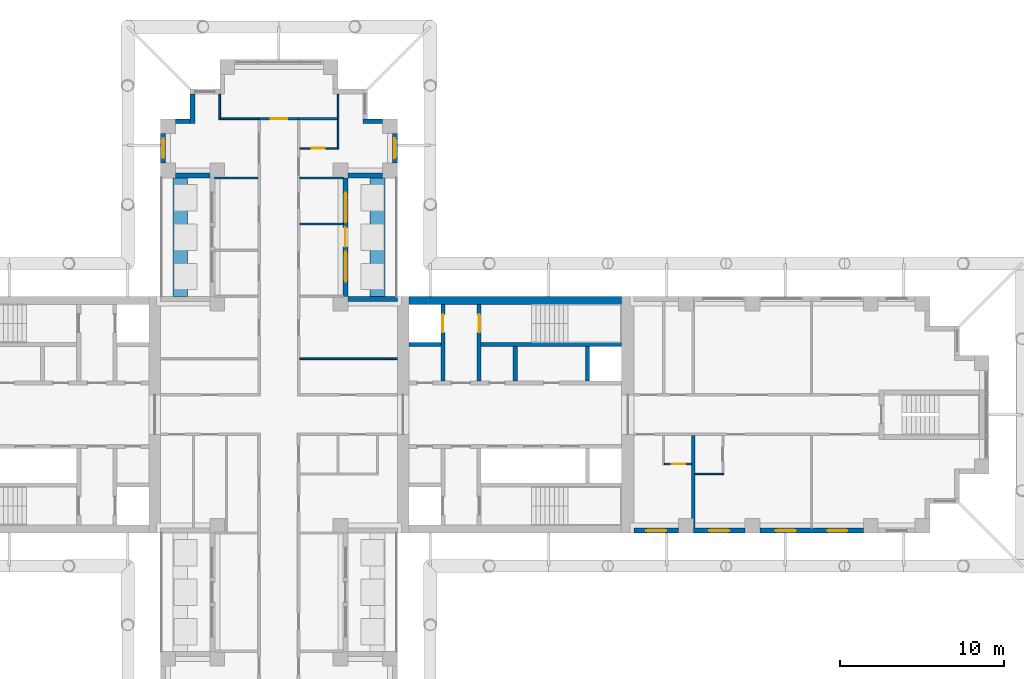
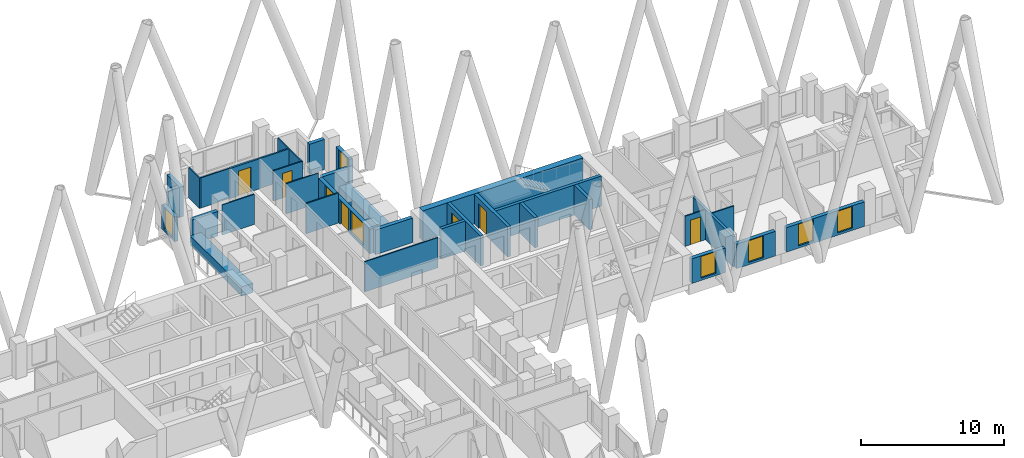
# One storey, part 9 of 14: 34 walls, 8 windows, 6 doors, 14 openings.
"""IFC4 building model written with IfcOpenShell, lengths in metres."""

from ifc_helpers import new_model, si_unit, direction, frame, frame_2d, origin, place, context, subcontext, project, spatial, rectangle, extrude, material, layer, layer_set, type_object, element, fill, save


model = new_model("IFC4")

# Units and contexts
model_context = context("Model", 3, precision=1e-05, world=origin(), true_north=direction((0.0, 1.0)))
body_context = subcontext(model_context, "Body", "Model", "MODEL_VIEW")
ifc_project = project(units=[si_unit("LENGTHUNIT", "METRE"), si_unit("AREAUNIT", "SQUARE_METRE"), si_unit("VOLUMEUNIT", "CUBIC_METRE"), si_unit("PLANEANGLEUNIT", "RADIAN"), si_unit("MASSUNIT", "GRAM", prefix="KILO")], contexts=[model_context])

# Site, building, storey
site_placement = place(None, origin())
site = spatial("IfcSite", under=ifc_project, at=site_placement, CompositionType="ELEMENT")
building_placement = place(site_placement, origin())
building = spatial("IfcBuilding", under=site, at=building_placement, Name="Fustian Cross Tower", CompositionType="ELEMENT")
storey_placement = place(building_placement, frame((0.0, 0.0, 102.89990234375)))
storey = spatial("IfcBuildingStorey", under=building, at=storey_placement, Name="L32", CompositionType="ELEMENT", Elevation=102.89990234375)

# Wall, opening, door
ifc_material_1 = material(Name="Plasterboard on steel stud", Category="steel")
ifc_layer_1 = layer(ifc_material_1, 0.14990234375)
ifc_layer_set_1 = layer_set([ifc_layer_1], Name="Plasterboard on steel stud")
wall_type_1 = type_object("IfcWallType", Name="COMPARTMENT WALL 150 EI 60", PredefinedType="PARTITIONING", material=ifc_layer_set_1)
wall_1_placement = place(storey_placement, frame((-1.199951171875, 18.0, 0.0), z_axis=(0.0, 0.0, 1.0), x_axis=(1.0, 0.0, 0.0)))
wall_1 = element("IfcWall", 1, at=wall_1_placement, inside=storey, type_object=wall_type_1, Name="Partition 42", PredefinedType="PARTITIONING", context=body_context, shape_type="SweptSolid", body=[
    extrude(rectangle(XDim=2.39990234375, YDim=0.14990234375, at=frame_2d((1.199951171875, 0.0))), origin(), (0.0, 0.0, 1.0), 2.5751953125),
])
opening_1_placement = place(wall_1_placement, frame((0.699951171875, 0.0, 0.0)))
opening_1 = element("IfcOpeningElement", 2, at=opening_1_placement, cuts=wall_1, Name="Opening D15020", PredefinedType="OPENING", context=body_context, shape_type="SweptSolid", body=[
    extrude(rectangle(XDim=1.0, YDim=2.10009765625, at=frame_2d((0.5, 1.050048828125))), frame((0.0, 0.0849609375, 0.0), z_axis=(0.0, -1.0, 0.0), x_axis=(1.0, 0.0, 0.0)), (0.0, 0.0, 1.0), 0.169921875),
])
ifc_material_2 = material(Name="Timber fire door set", Category="wood")
door_type_1 = type_object("IfcDoorType", Name="FIRE SWING DOOR 1000 FD30S", OperationType="SINGLE_SWING_LEFT", PredefinedType="DOOR", material=ifc_material_2)
door_1_placement = place(opening_1_placement, origin())
door_1 = element("IfcDoor", 3, at=door_1_placement, inside=storey, type_object=door_type_1, Name="Door D15020", OperationType="SINGLE_SWING_LEFT", OverallHeight=2.10009765625, OverallWidth=1.0, PredefinedType="DOOR", context=body_context, shape_type="SweptSolid", body=[
    extrude(rectangle(XDim=1.0, YDim=2.10009765625, at=frame_2d((0.5, 1.050048828125))), frame((0.0, 0.02490234375, 0.0), z_axis=(0.0, -1.0, 0.0), x_axis=(1.0, 0.0, 0.0)), (0.0, 0.0, 1.0), 0.050048828125),
])
fill(opening_1, door_1)

# Walls
ifc_material_3 = material(Name="Concrete C70/85", Category="concrete")
ifc_layer_2 = layer(ifc_material_3, 0.5)
ifc_layer_set_2 = layer_set([ifc_layer_2], Name="Concrete C70/85")
wall_type_2 = type_object("IfcWallType", Name="CORE FACADE WALL 500 C70/85", PredefinedType="SHEAR", material=ifc_layer_set_2)
wall_2_placement = place(storey_placement, frame((7.89990234375, 6.949951171875, 0.0), z_axis=(0.0, 0.0, 1.0), x_axis=(1.0, 0.0, 0.0)))
element("IfcWall", 4, at=wall_2_placement, inside=storey, type_object=wall_type_2, Name="Core facade wall", PredefinedType="SHEAR", context=body_context, shape_type="SweptSolid", body=[
    extrude(rectangle(XDim=12.9501953125, YDim=0.5, at=frame_2d((6.47509765625, 0.0))), origin(), (0.0, 0.0, 1.0), 2.5751953125),
])
ifc_material_4 = material(Name="Concrete C50/60", Category="concrete")
ifc_layer_3 = layer(ifc_material_4, 0.25)
ifc_layer_set_3 = layer_set([ifc_layer_3], Name="Concrete C50/60")
wall_type_3 = type_object("IfcWallType", Name="CORE SHAFT WALL 250 C50/60", PredefinedType="SHEAR", material=ifc_layer_set_3)
wall_3_placement = place(storey_placement, frame((7.89990234375, 4.27490234375, 0.0), z_axis=(0.0, 0.0, 1.0), x_axis=(1.0, 0.0, 0.0)))
element("IfcWall", 5, at=wall_3_placement, inside=storey, type_object=wall_type_3, Name="Core shaft wall", PredefinedType="SHEAR", context=body_context, shape_type="SweptSolid", body=[
    extrude(rectangle(XDim=1.9501953125, YDim=0.25, at=frame_2d((0.97509765625, 0.0))), origin(), (0.0, 0.0, 1.0), 2.5751953125),
])
wall_4_placement = place(storey_placement, frame((12.300048828125, 4.27490234375, 0.0), z_axis=(0.0, 0.0, 1.0), x_axis=(1.0, 0.0, 0.0)))
element("IfcWall", 6, at=wall_4_placement, inside=storey, type_object=wall_type_3, Name="Core shaft wall", PredefinedType="SHEAR", context=body_context, shape_type="SweptSolid", body=[
    extrude(rectangle(XDim=8.550048828125, YDim=0.25, at=frame_2d((4.27490234375, 0.0))), origin(), (0.0, 0.0, 1.0), 2.5751953125),
])

# Wall, opening, door
wall_5_placement = place(storey_placement, frame((9.97509765625, 2.050048828125, 0.0), z_axis=(0.0, 0.0, 1.0), x_axis=(0.0, 1.0, 0.0)))
wall_5 = element("IfcWall", 7, at=wall_5_placement, inside=storey, type_object=wall_type_3, Name="Core shaft wall", PredefinedType="SHEAR", context=body_context, shape_type="SweptSolid", body=[
    extrude(rectangle(XDim=4.64990234375, YDim=0.25, at=frame_2d((2.324951171875, 0.0))), origin(), (0.0, 0.0, 1.0), 2.5751953125),
])
opening_2_placement = place(wall_5_placement, frame((2.949951171875, 0.0, 0.0)))
opening_2 = element("IfcOpeningElement", 8, at=opening_2_placement, cuts=wall_5, Name="Opening LD", PredefinedType="OPENING", context=body_context, shape_type="SweptSolid", body=[
    extrude(rectangle(XDim=1.10009765625, YDim=2.10009765625, at=frame_2d((0.550048828125, 1.050048828125))), frame((0.0, 0.135009765625, 0.0), z_axis=(0.0, -1.0, 0.0), x_axis=(1.0, 0.0, 0.0)), (0.0, 0.0, 1.0), 0.27001953125),
])
ifc_material_5 = material(Name="Stainless steel", Category="steel")
door_type_2 = type_object("IfcDoorType", Name="LIFT LANDING DOOR 1100X2100", OperationType="SLIDING_TO_LEFT", PredefinedType="DOOR", material=ifc_material_5)
door_2_placement = place(opening_2_placement, origin())
door_2 = element("IfcDoor", 9, at=door_2_placement, inside=storey, type_object=door_type_2, Name="Landing door FL1", OperationType="SLIDING_TO_LEFT", OverallHeight=2.10009765625, OverallWidth=1.10009765625, PredefinedType="DOOR", context=body_context, shape_type="SweptSolid", body=[
    extrude(rectangle(XDim=1.10009765625, YDim=2.10009765625, at=frame_2d((0.550048828125, 1.050048828125))), frame((0.0, 0.02490234375, 0.0), z_axis=(0.0, -1.0, 0.0), x_axis=(1.0, 0.0, 0.0)), (0.0, 0.0, 1.0), 0.050048828125),
])
fill(opening_2, door_2)

wall_6_placement = place(storey_placement, frame((12.175048828125, 2.050048828125, 0.0), z_axis=(0.0, 0.0, 1.0), x_axis=(0.0, 1.0, 0.0)))
wall_6 = element("IfcWall", 10, at=wall_6_placement, inside=storey, type_object=wall_type_3, Name="Core shaft wall", PredefinedType="SHEAR", context=body_context, shape_type="SweptSolid", body=[
    extrude(rectangle(XDim=4.64990234375, YDim=0.25, at=frame_2d((2.324951171875, 0.0))), origin(), (0.0, 0.0, 1.0), 2.5751953125),
])
opening_3_placement = place(wall_6_placement, frame((2.949951171875, 0.0, 0.0)))
opening_3 = element("IfcOpeningElement", 11, at=opening_3_placement, cuts=wall_6, Name="Opening CD-10-06", PredefinedType="OPENING", context=body_context, shape_type="SweptSolid", body=[
    extrude(rectangle(XDim=1.10009765625, YDim=2.10009765625, at=frame_2d((0.550048828125, 1.050048828125))), frame((0.0, 0.135009765625, 0.0), z_axis=(0.0, -1.0, 0.0), x_axis=(1.0, 0.0, 0.0)), (0.0, 0.0, 1.0), 0.27001953125),
])
ifc_material_6 = material(Name="Steel", Category="steel")
door_type_3 = type_object("IfcDoorType", Name="FIRE DOOR FD60S 1100X2100", OperationType="SINGLE_SWING_LEFT", PredefinedType="DOOR", material=ifc_material_6)
door_3_placement = place(opening_3_placement, frame((1.10009765625, 0.0, 0.0), z_axis=(0.0, 0.0, 1.0), x_axis=(-1.0, 0.0, 0.0)))
door_3 = element("IfcDoor", 12, at=door_3_placement, inside=storey, type_object=door_type_3, Name="Core door CD-10-06", OperationType="SINGLE_SWING_RIGHT", OverallHeight=2.10009765625, OverallWidth=1.10009765625, PredefinedType="DOOR", context=body_context, shape_type="SweptSolid", body=[
    extrude(rectangle(XDim=1.10009765625, YDim=2.10009765625, at=frame_2d((0.550048828125, 1.050048828125))), frame((0.0, 0.02490234375, 0.0), z_axis=(0.0, -1.0, 0.0), x_axis=(1.0, 0.0, 0.0)), (0.0, 0.0, 1.0), 0.050048828125),
])
fill(opening_3, door_3)

# Walls
ifc_material_7 = material(Name="Plasterboard on steel stud", Category="steel")
ifc_layer_4 = layer(ifc_material_7, 0.10009765625)
ifc_layer_set_4 = layer_set([ifc_layer_4], Name="Plasterboard on steel stud")
wall_type_4 = type_object("IfcWallType", Name="PARTITION 100 STUD", PredefinedType="PARTITIONING", material=ifc_layer_set_4)
wall_7_placement = place(storey_placement, frame((-3.89990234375, 14.39990234375, 0.0), z_axis=(0.0, 0.0, 1.0), x_axis=(1.0, 0.0, 0.0)))
element("IfcWall", 13, at=wall_7_placement, inside=storey, type_object=wall_type_4, Name="Partition 35", PredefinedType="PARTITIONING", context=body_context, shape_type="SweptSolid", body=[
    extrude(rectangle(XDim=2.625, YDim=0.10009765625, at=frame_2d((1.3125, 0.0))), origin(), (0.0, 0.0, 1.0), 2.5751953125),
])
wall_8_placement = place(storey_placement, frame((-3.60009765625, 17.949951171875, 0.0), z_axis=(0.0, 0.0, 1.0), x_axis=(0.0, 1.0, 0.0)))
element("IfcWall", 14, at=wall_8_placement, inside=storey, type_object=wall_type_4, Name="Partition 36", PredefinedType="PARTITIONING", context=body_context, shape_type="SweptSolid", body=[
    extrude(rectangle(XDim=1.550048828125, YDim=0.10009765625, at=frame_2d((0.77490234375, 0.0))), origin(), (0.0, 0.0, 1.0), 2.5751953125),
])
wall_9_placement = place(storey_placement, frame((-3.550048828125, 18.0, 0.0), z_axis=(0.0, 0.0, 1.0), x_axis=(1.0, 0.0, 0.0)))
element("IfcWall", 15, at=wall_9_placement, inside=storey, type_object=wall_type_4, Name="Partition 37", PredefinedType="PARTITIONING", context=body_context, shape_type="SweptSolid", body=[
    extrude(rectangle(XDim=2.35009765625, YDim=0.10009765625, at=frame_2d((1.175048828125, 0.0))), origin(), (0.0, 0.0, 1.0), 2.5751953125),
])
wall_10_placement = place(storey_placement, frame((1.27490234375, 3.39990234375, 0.0), z_axis=(0.0, 0.0, 1.0), x_axis=(1.0, 0.0, 0.0)))
element("IfcWall", 16, at=wall_10_placement, inside=storey, type_object=wall_type_4, Name="Partition 53", PredefinedType="PARTITIONING", context=body_context, shape_type="SweptSolid", body=[
    extrude(rectangle(XDim=5.925048828125, YDim=0.10009765625, at=frame_2d((2.96240234375, 0.0))), origin(), (0.0, 0.0, 1.0), 2.5751953125),
])
for number, where, z_axis, x_axis, name in (
    (17, (1.27490234375, 11.60009765625, 0.0), (0.0, 0.0, 1.0), (1.0, 0.0, 0.0), "Partition 55"),
    (18, (1.27490234375, 14.39990234375, 0.0), (0.0, 0.0, 1.0), (1.0, 0.0, 0.0), "Partition 56"),
):
    element("IfcWall", number, at=place(storey_placement, frame(where, z_axis=z_axis, x_axis=x_axis)), inside=storey, type_object=wall_type_4, Name=name, PredefinedType="PARTITIONING", context=body_context, shape_type="SweptSolid", body=[
        extrude(rectangle(XDim=2.625, YDim=0.10009765625, at=frame_2d((1.3125, 0.0))), origin(), (0.0, 0.0, 1.0), 2.5751953125),
    ])

# Wall, opening, door
wall_11_placement = place(storey_placement, frame((1.27490234375, 16.199951171875, 0.0), z_axis=(0.0, 0.0, 1.0), x_axis=(1.0, 0.0, 0.0)))
wall_11 = element("IfcWall", 19, at=wall_11_placement, inside=storey, type_object=wall_type_4, Name="Partition 57", PredefinedType="PARTITIONING", context=body_context, shape_type="SweptSolid", body=[
    extrude(rectangle(XDim=2.375, YDim=0.10009765625, at=frame_2d((1.1875, 0.0))), origin(), (0.0, 0.0, 1.0), 2.5751953125),
])
opening_4_placement = place(wall_11_placement, frame((0.72509765625, 0.0, 0.0)))
opening_4 = element("IfcOpeningElement", 20, at=opening_4_placement, cuts=wall_11, Name="Opening D15026", PredefinedType="OPENING", context=body_context, shape_type="SweptSolid", body=[
    extrude(rectangle(XDim=0.800048828125, YDim=2.10009765625, at=frame_2d((0.39990234375, 1.050048828125))), frame((0.0, 0.06005859375, 0.0), z_axis=(0.0, -1.0, 0.0), x_axis=(1.0, 0.0, 0.0)), (0.0, 0.0, 1.0), 0.1201171875),
])
ifc_material_8 = material(Name="Painted timber", Category="wood")
door_type_4 = type_object("IfcDoorType", Name="SWING DOOR 800", OperationType="SINGLE_SWING_LEFT", PredefinedType="DOOR", material=ifc_material_8)
door_4_placement = place(opening_4_placement, origin())
door_4 = element("IfcDoor", 21, at=door_4_placement, inside=storey, type_object=door_type_4, Name="Door D15026", OperationType="SINGLE_SWING_LEFT", OverallHeight=2.10009765625, OverallWidth=0.800048828125, PredefinedType="DOOR", context=body_context, shape_type="SweptSolid", body=[
    extrude(rectangle(XDim=0.800048828125, YDim=2.10009765625, at=frame_2d((0.39990234375, 1.050048828125))), frame((0.0, 0.02490234375, 0.0), z_axis=(0.0, -1.0, 0.0), x_axis=(1.0, 0.0, 0.0)), (0.0, 0.0, 1.0), 0.050048828125),
])
fill(opening_4, door_4)

# Wall
wall_12_placement = place(storey_placement, frame((3.60009765625, 16.25, 0.0), z_axis=(0.0, 0.0, 1.0), x_axis=(0.0, 1.0, 0.0)))
element("IfcWall", 22, at=wall_12_placement, inside=storey, type_object=wall_type_4, Name="Partition 64", PredefinedType="PARTITIONING", context=body_context, shape_type="SweptSolid", body=[
    extrude(rectangle(XDim=3.25, YDim=0.10009765625, at=frame_2d((1.625, 0.0))), origin(), (0.0, 0.0, 1.0), 2.5751953125),
])

# Wall, opening, door
wall_13_placement = place(storey_placement, frame((23.449951171875, -3.0, 0.0), z_axis=(0.0, 0.0, 1.0), x_axis=(1.0, 0.0, 0.0)))
wall_13 = element("IfcWall", 23, at=wall_13_placement, inside=storey, type_object=wall_type_4, Name="Partition 73", PredefinedType="PARTITIONING", context=body_context, shape_type="SweptSolid", body=[
    extrude(rectangle(XDim=1.650146484375, YDim=0.10009765625, at=frame_2d((0.8251953125, 0.0))), origin(), (0.0, 0.0, 1.0), 2.5751953125),
])
opening_5_placement = place(wall_13_placement, frame((0.449951171875, 0.0, 0.0)))
opening_5 = element("IfcOpeningElement", 24, at=opening_5_placement, cuts=wall_13, Name="Opening D15015", PredefinedType="OPENING", context=body_context, shape_type="SweptSolid", body=[
    extrude(rectangle(XDim=0.800048828125, YDim=2.10009765625, at=frame_2d((0.39990234375, 1.050048828125))), frame((0.0, 0.06005859375, 0.0), z_axis=(0.0, -1.0, 0.0), x_axis=(1.0, 0.0, 0.0)), (0.0, 0.0, 1.0), 0.1201171875),
])
door_5_placement = place(opening_5_placement, origin())
door_5 = element("IfcDoor", 25, at=door_5_placement, inside=storey, type_object=door_type_4, Name="Door D15015", OperationType="SINGLE_SWING_RIGHT", OverallHeight=2.10009765625, OverallWidth=0.800048828125, PredefinedType="DOOR", context=body_context, shape_type="SweptSolid", body=[
    extrude(rectangle(XDim=0.800048828125, YDim=2.10009765625, at=frame_2d((0.39990234375, 1.050048828125))), frame((0.0, 0.02490234375, 0.0), z_axis=(0.0, -1.0, 0.0), x_axis=(1.0, 0.0, 0.0)), (0.0, 0.0, 1.0), 0.050048828125),
])
fill(opening_5, door_5)

# Walls
wall_14_placement = place(storey_placement, frame((25.300048828125, -3.60009765625, 0.0), z_axis=(0.0, 0.0, 1.0), x_axis=(1.0, 0.0, 0.0)))
element("IfcWall", 26, at=wall_14_placement, inside=storey, type_object=wall_type_4, Name="Partition 76", PredefinedType="PARTITIONING", context=body_context, shape_type="SweptSolid", body=[
    extrude(rectangle(XDim=1.75, YDim=0.10009765625, at=frame_2d((0.875, 0.0))), origin(), (0.0, 0.0, 1.0), 2.5751953125),
])
ifc_material_9 = material(Name="Plasterboard on steel stud", Category="steel")
ifc_layer_5 = layer(ifc_material_9, 0.199951171875)
ifc_layer_set_5 = layer_set([ifc_layer_5], Name="Plasterboard on steel stud")
wall_type_5 = type_object("IfcWallType", Name="PARTY WALL 200 EI 60", PredefinedType="PARTITIONING", material=ifc_layer_set_5)
wall_15_placement = place(storey_placement, frame((25.199951171875, -6.89990234375, 0.0), z_axis=(0.0, 0.0, 1.0), x_axis=(0.0, 1.0, 0.0)))
element("IfcWall", 27, at=wall_15_placement, inside=storey, type_object=wall_type_5, Name="Partition 75", PredefinedType="PARTITIONING", context=body_context, shape_type="SweptSolid", body=[
    extrude(rectangle(XDim=5.625, YDim=0.199951171875, at=frame_2d((2.8125, 0.0))), origin(), (0.0, 0.0, 1.0), 2.5751953125),
])
ifc_material_10 = material(Name="Concrete C40/50", Category="concrete")
ifc_layer_6 = layer(ifc_material_10, 0.89990234375)
ifc_layer_set_6 = layer_set([ifc_layer_6], Name="Concrete C40/50")
wall_type_6 = type_object("IfcWallType", Name="PK1 PLANTER 900", PredefinedType="PARAPET", material=ifc_layer_set_6)
for number, where, z_axis, x_axis, name in (
    (28, (6.0, 7.199951171875, 0.0), (0.0, 0.0, 1.0), (0.0, 1.0, 0.0), "PLANTER"),
    (29, (-6.0, 7.199951171875, 0.0), (0.0, 0.0, 1.0), (0.0, 1.0, 0.0), "PLANTER"),
):
    element("IfcWall", number, at=place(storey_placement, frame(where, z_axis=z_axis, x_axis=x_axis)), inside=storey, type_object=wall_type_6, Name=name, PredefinedType="PARAPET", context=body_context, shape_type="SweptSolid", body=[
        extrude(rectangle(XDim=7.199951171875, YDim=0.89990234375, at=frame_2d((3.60009765625, 0.0))), origin(), (0.0, 0.0, 1.0), 0.800048828125),
    ])
ifc_material_11 = material(Name="Concrete C40/50", Category="concrete")
ifc_layer_7 = layer(ifc_material_11, 0.25)
ifc_layer_set_7 = layer_set([ifc_layer_7], Name="Concrete C40/50")
wall_type_7 = type_object("IfcWallType", Name="SHAFT PARTITION WALL 250 C40/50", PredefinedType="PARTITIONING", material=ifc_layer_set_7)
for number, where, z_axis, x_axis, name in (
    (30, (14.375, 2.050048828125, 0.0), (0.0, 0.0, 1.0), (0.0, 1.0, 0.0), "Core shaft wall"),
    (31, (18.77490234375, 2.050048828125, 0.0), (0.0, 0.0, 1.0), (0.0, 1.0, 0.0), "Core shaft wall"),
):
    element("IfcWall", number, at=place(storey_placement, frame(where, z_axis=z_axis, x_axis=x_axis)), inside=storey, type_object=wall_type_7, Name=name, PredefinedType="PARTITIONING", context=body_context, shape_type="SweptSolid", body=[
        extrude(rectangle(XDim=2.099853515625, YDim=0.25, at=frame_2d((1.0498046875, 0.0))), origin(), (0.0, 0.0, 1.0), 2.5751953125),
    ])
ifc_material_12 = material(Name="Plasterboard on steel stud", Category="steel")
ifc_layer_8 = layer(ifc_material_12, 0.125)
ifc_layer_set_8 = layer_set([ifc_layer_8], Name="Plasterboard on steel stud")
wall_type_8 = type_object("IfcWallType", Name="WET WALL 125 STUD", PredefinedType="PARTITIONING", material=ifc_layer_set_8)
wall_16_placement = place(storey_placement, frame((1.199951171875, 18.0, 0.0), z_axis=(0.0, 0.0, 1.0), x_axis=(1.0, 0.0, 0.0)))
element("IfcWall", 32, at=wall_16_placement, inside=storey, type_object=wall_type_8, Name="Partition 58", PredefinedType="PARTITIONING", context=body_context, shape_type="SweptSolid", body=[
    extrude(rectangle(XDim=2.35009765625, YDim=0.125, at=frame_2d((1.175048828125, 0.0))), origin(), (0.0, 0.0, 1.0), 2.5751953125),
])

# Wall, opening, window
ifc_material_13 = material(Name="Dark aluminium cladding on insulated backing wall", Category="aluminium")
ifc_layer_9 = layer(ifc_material_13, 0.300048828125)
ifc_layer_set_9 = layer_set([ifc_layer_9], Name="Dark aluminium cladding on insulated backing wall")
wall_type_9 = type_object("IfcWallType", Name="XW1 EXTERNAL WALL 300", PredefinedType="SOLIDWALL", material=ifc_layer_set_9)
wall_17_placement = place(storey_placement, frame((21.60009765625, -7.050048828125, 0.0), z_axis=(0.0, 0.0, 1.0), x_axis=(1.0, 0.0, 0.0)))
wall_17 = element("IfcWall", 33, at=wall_17_placement, inside=storey, type_object=wall_type_9, Name="External wall", PredefinedType="SOLIDWALL", context=body_context, shape_type="SweptSolid", body=[
    extrude(rectangle(XDim=2.699951171875, YDim=0.300048828125, at=frame_2d((1.35009765625, 0.0))), origin(), (0.0, 0.0, 1.0), 2.10009765625),
])
opening_6_placement = place(wall_17_placement, frame((0.75, 0.0, 0.199951171875)))
opening_6 = element("IfcOpeningElement", 34, at=opening_6_placement, cuts=wall_17, Name="Opening WN3", PredefinedType="OPENING", context=body_context, shape_type="SweptSolid", body=[
    extrude(rectangle(XDim=1.199951171875, YDim=1.85009765625, at=frame_2d((0.60009765625, 0.925048828125))), frame((0.0, 0.159912109375, 0.0), z_axis=(0.0, -1.0, 0.0), x_axis=(1.0, 0.0, 0.0)), (0.0, 0.0, 1.0), 0.320068359375),
])
ifc_material_14 = material(Name="Dark anodised aluminium and double glazing", Category="aluminium")
window_type_1 = type_object("IfcWindowType", Name="WN3 WINDOW 1200X1850", PartitioningType="SINGLE_PANEL", PredefinedType="WINDOW", material=ifc_material_14)
window_1_placement = place(opening_6_placement, origin())
window_1 = element("IfcWindow", 35, at=window_1_placement, inside=storey, type_object=window_type_1, Name="Window", OverallHeight=1.85009765625, OverallWidth=1.199951171875, PartitioningType="SINGLE_PANEL", PredefinedType="WINDOW", context=body_context, shape_type="SweptSolid", body=[
    extrude(rectangle(XDim=1.199951171875, YDim=1.85009765625, at=frame_2d((0.60009765625, 0.925048828125))), frame((0.0, 0.030029296875, 0.0), z_axis=(0.0, -1.0, 0.0), x_axis=(1.0, 0.0, 0.0)), (0.0, 0.0, 1.0), 0.06005859375),
])
fill(opening_6, window_1)

wall_18_placement = place(storey_placement, frame((25.199951171875, -7.050048828125, 0.0), z_axis=(0.0, 0.0, 1.0), x_axis=(1.0, 0.0, 0.0)))
wall_18 = element("IfcWall", 36, at=wall_18_placement, inside=storey, type_object=wall_type_9, Name="External wall", PredefinedType="SOLIDWALL", context=body_context, shape_type="SweptSolid", body=[
    extrude(rectangle(XDim=3.150146484375, YDim=0.300048828125, at=frame_2d((1.5751953125, 0.0))), origin(), (0.0, 0.0, 1.0), 2.10009765625),
])
opening_7_placement = place(wall_18_placement, frame((0.97509765625, 0.0, 0.199951171875)))
opening_7 = element("IfcOpeningElement", 37, at=opening_7_placement, cuts=wall_18, Name="Opening WN3", PredefinedType="OPENING", context=body_context, shape_type="SweptSolid", body=[
    extrude(rectangle(XDim=1.199951171875, YDim=1.85009765625, at=frame_2d((0.60009765625, 0.925048828125))), frame((0.0, 0.159912109375, 0.0), z_axis=(0.0, -1.0, 0.0), x_axis=(1.0, 0.0, 0.0)), (0.0, 0.0, 1.0), 0.320068359375),
])
window_2_placement = place(opening_7_placement, origin())
window_2 = element("IfcWindow", 38, at=window_2_placement, inside=storey, type_object=window_type_1, Name="Window", OverallHeight=1.85009765625, OverallWidth=1.199951171875, PartitioningType="SINGLE_PANEL", PredefinedType="WINDOW", context=body_context, shape_type="SweptSolid", body=[
    extrude(rectangle(XDim=1.199951171875, YDim=1.85009765625, at=frame_2d((0.60009765625, 0.925048828125))), frame((0.0, 0.030029296875, 0.0), z_axis=(0.0, -1.0, 0.0), x_axis=(1.0, 0.0, 0.0)), (0.0, 0.0, 1.0), 0.06005859375),
])
fill(opening_7, window_2)

# Wall, openings, windows
wall_19_placement = place(storey_placement, frame((29.25, -7.050048828125, 0.0), z_axis=(0.0, 0.0, 1.0), x_axis=(1.0, 0.0, 0.0)))
wall_19 = element("IfcWall", 39, at=wall_19_placement, inside=storey, type_object=wall_type_9, Name="External wall", PredefinedType="SOLIDWALL", context=body_context, shape_type="SweptSolid", body=[
    extrude(rectangle(XDim=6.300048828125, YDim=0.300048828125, at=frame_2d((3.14990234375, 0.0))), origin(), (0.0, 0.0, 1.0), 2.10009765625),
])
opening_8_placement = place(wall_19_placement, frame((0.97509765625, 0.0, 0.199951171875)))
opening_8 = element("IfcOpeningElement", 40, at=opening_8_placement, cuts=wall_19, Name="Opening WN3", PredefinedType="OPENING", context=body_context, shape_type="SweptSolid", body=[
    extrude(rectangle(XDim=1.199951171875, YDim=1.85009765625, at=frame_2d((0.60009765625, 0.925048828125))), frame((0.0, 0.159912109375, 0.0), z_axis=(0.0, -1.0, 0.0), x_axis=(1.0, 0.0, 0.0)), (0.0, 0.0, 1.0), 0.320068359375),
])
opening_9_placement = place(wall_19_placement, frame((4.125, 0.0, 0.199951171875)))
opening_9 = element("IfcOpeningElement", 41, at=opening_9_placement, cuts=wall_19, Name="Opening WN3", PredefinedType="OPENING", context=body_context, shape_type="SweptSolid", body=[
    extrude(rectangle(XDim=1.199951171875, YDim=1.85009765625, at=frame_2d((0.60009765625, 0.925048828125))), frame((0.0, 0.159912109375, 0.0), z_axis=(0.0, -1.0, 0.0), x_axis=(1.0, 0.0, 0.0)), (0.0, 0.0, 1.0), 0.320068359375),
])
window_3_placement = place(opening_8_placement, origin())
window_3 = element("IfcWindow", 42, at=window_3_placement, inside=storey, type_object=window_type_1, Name="Window", OverallHeight=1.85009765625, OverallWidth=1.199951171875, PartitioningType="SINGLE_PANEL", PredefinedType="WINDOW", context=body_context, shape_type="SweptSolid", body=[
    extrude(rectangle(XDim=1.199951171875, YDim=1.85009765625, at=frame_2d((0.60009765625, 0.925048828125))), frame((0.0, 0.030029296875, 0.0), z_axis=(0.0, -1.0, 0.0), x_axis=(1.0, 0.0, 0.0)), (0.0, 0.0, 1.0), 0.06005859375),
])
fill(opening_8, window_3)
window_4_placement = place(opening_9_placement, origin())
window_4 = element("IfcWindow", 43, at=window_4_placement, inside=storey, type_object=window_type_1, Name="Window", OverallHeight=1.85009765625, OverallWidth=1.199951171875, PartitioningType="SINGLE_PANEL", PredefinedType="WINDOW", context=body_context, shape_type="SweptSolid", body=[
    extrude(rectangle(XDim=1.199951171875, YDim=1.85009765625, at=frame_2d((0.60009765625, 0.925048828125))), frame((0.0, 0.030029296875, 0.0), z_axis=(0.0, -1.0, 0.0), x_axis=(1.0, 0.0, 0.0)), (0.0, 0.0, 1.0), 0.06005859375),
])
fill(opening_9, window_4)

# Wall
wall_20_placement = place(storey_placement, frame((7.199951171875, 7.050048828125, 0.0), z_axis=(0.0, 0.0, 1.0), x_axis=(-1.0, 0.0, 0.0)))
element("IfcWall", 44, at=wall_20_placement, inside=storey, type_object=wall_type_9, Name="External wall", PredefinedType="SOLIDWALL", context=body_context, shape_type="SweptSolid", body=[
    extrude(rectangle(XDim=3.0, YDim=0.300048828125, at=frame_2d((1.5, 0.0))), origin(), (0.0, 0.0, 1.0), 2.10009765625),
])

# Wall, openings, door, windows
wall_21_placement = place(storey_placement, frame((4.050048828125, 7.199951171875, 0.0), z_axis=(0.0, 0.0, 1.0), x_axis=(0.0, 1.0, 0.0)))
wall_21 = element("IfcWall", 45, at=wall_21_placement, inside=storey, type_object=wall_type_9, Name="External wall", PredefinedType="SOLIDWALL", context=body_context, shape_type="SweptSolid", body=[
    extrude(rectangle(XDim=7.199951171875, YDim=0.300048828125, at=frame_2d((3.60009765625, 0.0))), origin(), (0.0, 0.0, 1.0), 2.10009765625),
])
opening_10_placement = place(wall_21_placement, frame((3.0, 0.0, 0.0)))
opening_10 = element("IfcOpeningElement", 46, at=opening_10_placement, cuts=wall_21, Name="Opening XD1", PredefinedType="OPENING", context=body_context, shape_type="SweptSolid", body=[
    extrude(rectangle(XDim=1.199951171875, YDim=2.050048828125, at=frame_2d((0.60009765625, 1.02490234375))), frame((0.0, 0.159912109375, 0.0), z_axis=(0.0, -1.0, 0.0), x_axis=(1.0, 0.0, 0.0)), (0.0, 0.0, 1.0), 0.320068359375),
])
opening_11_placement = place(wall_21_placement, frame((0.89990234375, 0.0, 0.199951171875)))
opening_11 = element("IfcOpeningElement", 47, at=opening_11_placement, cuts=wall_21, Name="Opening WN2", PredefinedType="OPENING", context=body_context, shape_type="SweptSolid", body=[
    extrude(rectangle(XDim=1.800048828125, YDim=1.85009765625, at=frame_2d((0.89990234375, 0.925048828125))), frame((0.0, 0.159912109375, 0.0), z_axis=(0.0, -1.0, 0.0), x_axis=(1.0, 0.0, 0.0)), (0.0, 0.0, 1.0), 0.320068359375),
])
opening_12_placement = place(wall_21_placement, frame((4.5, 0.0, 0.199951171875)))
opening_12 = element("IfcOpeningElement", 48, at=opening_12_placement, cuts=wall_21, Name="Opening WN2", PredefinedType="OPENING", context=body_context, shape_type="SweptSolid", body=[
    extrude(rectangle(XDim=1.800048828125, YDim=1.85009765625, at=frame_2d((0.89990234375, 0.925048828125))), frame((0.0, 0.159912109375, 0.0), z_axis=(0.0, -1.0, 0.0), x_axis=(1.0, 0.0, 0.0)), (0.0, 0.0, 1.0), 0.320068359375),
])
ifc_material_15 = material(Name="Dark anodised aluminium and double glazing", Category="aluminium")
door_type_5 = type_object("IfcDoorType", Name="ED1 BALCONY DOOR 1200X2050", OperationType="SINGLE_SWING_LEFT", PredefinedType="DOOR", material=ifc_material_15)
door_6_placement = place(opening_10_placement, origin())
door_6 = element("IfcDoor", 49, at=door_6_placement, inside=storey, type_object=door_type_5, Name="Balcony door", OperationType="SINGLE_SWING_LEFT", OverallHeight=2.050048828125, OverallWidth=1.199951171875, PredefinedType="DOOR", context=body_context, shape_type="SweptSolid", body=[
    extrude(rectangle(XDim=1.199951171875, YDim=2.050048828125, at=frame_2d((0.60009765625, 1.02490234375))), frame((0.0, 0.02490234375, 0.0), z_axis=(0.0, -1.0, 0.0), x_axis=(1.0, 0.0, 0.0)), (0.0, 0.0, 1.0), 0.050048828125),
])
fill(opening_10, door_6)
ifc_material_16 = material(Name="Dark anodised aluminium and double glazing", Category="aluminium")
window_type_2 = type_object("IfcWindowType", Name="WN2 WINDOW 1800X1850", PartitioningType="SINGLE_PANEL", PredefinedType="WINDOW", material=ifc_material_16)
window_5_placement = place(opening_11_placement, origin())
window_5 = element("IfcWindow", 50, at=window_5_placement, inside=storey, type_object=window_type_2, Name="Window", OverallHeight=1.85009765625, OverallWidth=1.800048828125, PartitioningType="SINGLE_PANEL", PredefinedType="WINDOW", context=body_context, shape_type="SweptSolid", body=[
    extrude(rectangle(XDim=1.800048828125, YDim=1.85009765625, at=frame_2d((0.89990234375, 0.925048828125))), frame((0.0, 0.030029296875, 0.0), z_axis=(0.0, -1.0, 0.0), x_axis=(1.0, 0.0, 0.0)), (0.0, 0.0, 1.0), 0.06005859375),
])
fill(opening_11, window_5)
window_6_placement = place(opening_12_placement, origin())
window_6 = element("IfcWindow", 51, at=window_6_placement, inside=storey, type_object=window_type_2, Name="Window", OverallHeight=1.85009765625, OverallWidth=1.800048828125, PartitioningType="SINGLE_PANEL", PredefinedType="WINDOW", context=body_context, shape_type="SweptSolid", body=[
    extrude(rectangle(XDim=1.800048828125, YDim=1.85009765625, at=frame_2d((0.89990234375, 0.925048828125))), frame((0.0, 0.030029296875, 0.0), z_axis=(0.0, -1.0, 0.0), x_axis=(1.0, 0.0, 0.0)), (0.0, 0.0, 1.0), 0.06005859375),
])
fill(opening_12, window_6)

# Wall
wall_22_placement = place(storey_placement, frame((4.199951171875, 14.550048828125, 0.0), z_axis=(0.0, 0.0, 1.0), x_axis=(1.0, 0.0, 0.0)))
element("IfcWall", 52, at=wall_22_placement, inside=storey, type_object=wall_type_9, Name="External wall", PredefinedType="SOLIDWALL", context=body_context, shape_type="SweptSolid", body=[
    extrude(rectangle(XDim=2.10009765625, YDim=0.300048828125, at=frame_2d((1.050048828125, 0.0))), origin(), (0.0, 0.0, 1.0), 2.10009765625),
])

# Wall, opening, window
wall_23_placement = place(storey_placement, frame((7.050048828125, 15.300048828125, 0.0), z_axis=(0.0, 0.0, 1.0), x_axis=(0.0, 1.0, 0.0)))
wall_23 = element("IfcWall", 53, at=wall_23_placement, inside=storey, type_object=wall_type_9, Name="External wall", PredefinedType="SOLIDWALL", context=body_context, shape_type="SweptSolid", body=[
    extrude(rectangle(XDim=1.800048828125, YDim=0.300048828125, at=frame_2d((0.89990234375, 0.0))), origin(), (0.0, 0.0, 1.0), 2.10009765625),
])
opening_13_placement = place(wall_23_placement, frame((0.300048828125, 0.0, 0.199951171875)))
opening_13 = element("IfcOpeningElement", 54, at=opening_13_placement, cuts=wall_23, Name="Opening WN3", PredefinedType="OPENING", context=body_context, shape_type="SweptSolid", body=[
    extrude(rectangle(XDim=1.199951171875, YDim=1.85009765625, at=frame_2d((0.60009765625, 0.925048828125))), frame((0.0, 0.159912109375, 0.0), z_axis=(0.0, -1.0, 0.0), x_axis=(1.0, 0.0, 0.0)), (0.0, 0.0, 1.0), 0.320068359375),
])
window_7_placement = place(opening_13_placement, origin())
window_7 = element("IfcWindow", 55, at=window_7_placement, inside=storey, type_object=window_type_1, Name="Window", OverallHeight=1.85009765625, OverallWidth=1.199951171875, PartitioningType="SINGLE_PANEL", PredefinedType="WINDOW", context=body_context, shape_type="SweptSolid", body=[
    extrude(rectangle(XDim=1.199951171875, YDim=1.85009765625, at=frame_2d((0.60009765625, 0.925048828125))), frame((0.0, 0.030029296875, 0.0), z_axis=(0.0, -1.0, 0.0), x_axis=(1.0, 0.0, 0.0)), (0.0, 0.0, 1.0), 0.06005859375),
])
fill(opening_13, window_7)

# Walls
wall_24_placement = place(storey_placement, frame((6.300048828125, 17.85009765625, 0.0), z_axis=(0.0, 0.0, 1.0), x_axis=(-1.0, 0.0, 0.0)))
element("IfcWall", 56, at=wall_24_placement, inside=storey, type_object=wall_type_9, Name="External wall", PredefinedType="SOLIDWALL", context=body_context, shape_type="SweptSolid", body=[
    extrude(rectangle(XDim=1.199951171875, YDim=0.300048828125, at=frame_2d((0.60009765625, 0.0))), origin(), (0.0, 0.0, 1.0), 2.5751953125),
])
wall_25_placement = place(storey_placement, frame((-5.25, 19.5, 0.0), z_axis=(0.0, 0.0, 1.0), x_axis=(0.0, -1.0, 0.0)))
element("IfcWall", 57, at=wall_25_placement, inside=storey, type_object=wall_type_9, Name="External wall", PredefinedType="SOLIDWALL", context=body_context, shape_type="SweptSolid", body=[
    extrude(rectangle(XDim=1.800048828125, YDim=0.300048828125, at=frame_2d((0.89990234375, 0.0))), origin(), (0.0, 0.0, 1.0), 2.5751953125),
])
wall_26_placement = place(storey_placement, frame((-5.39990234375, 17.85009765625, 0.0), z_axis=(0.0, 0.0, 1.0), x_axis=(-1.0, 0.0, 0.0)))
element("IfcWall", 58, at=wall_26_placement, inside=storey, type_object=wall_type_9, Name="External wall", PredefinedType="SOLIDWALL", context=body_context, shape_type="SweptSolid", body=[
    extrude(rectangle(XDim=0.900146484375, YDim=0.300048828125, at=frame_2d((0.4501953125, 0.0))), origin(), (0.0, 0.0, 1.0), 2.5751953125),
])

# Wall, opening, window
wall_27_placement = place(storey_placement, frame((-7.050048828125, 17.10009765625, 0.0), z_axis=(0.0, 0.0, 1.0), x_axis=(0.0, -1.0, 0.0)))
wall_27 = element("IfcWall", 59, at=wall_27_placement, inside=storey, type_object=wall_type_9, Name="External wall", PredefinedType="SOLIDWALL", context=body_context, shape_type="SweptSolid", body=[
    extrude(rectangle(XDim=1.800048828125, YDim=0.300048828125, at=frame_2d((0.89990234375, 0.0))), origin(), (0.0, 0.0, 1.0), 2.10009765625),
])
opening_14_placement = place(wall_27_placement, frame((0.300048828125, 0.0, 0.199951171875)))
opening_14 = element("IfcOpeningElement", 60, at=opening_14_placement, cuts=wall_27, Name="Opening WN3", PredefinedType="OPENING", context=body_context, shape_type="SweptSolid", body=[
    extrude(rectangle(XDim=1.199951171875, YDim=1.85009765625, at=frame_2d((0.60009765625, 0.925048828125))), frame((0.0, 0.159912109375, 0.0), z_axis=(0.0, -1.0, 0.0), x_axis=(1.0, 0.0, 0.0)), (0.0, 0.0, 1.0), 0.320068359375),
])
window_8_placement = place(opening_14_placement, origin())
window_8 = element("IfcWindow", 61, at=window_8_placement, inside=storey, type_object=window_type_1, Name="Window", OverallHeight=1.85009765625, OverallWidth=1.199951171875, PartitioningType="SINGLE_PANEL", PredefinedType="WINDOW", context=body_context, shape_type="SweptSolid", body=[
    extrude(rectangle(XDim=1.199951171875, YDim=1.85009765625, at=frame_2d((0.60009765625, 0.925048828125))), frame((0.0, 0.030029296875, 0.0), z_axis=(0.0, -1.0, 0.0), x_axis=(1.0, 0.0, 0.0)), (0.0, 0.0, 1.0), 0.06005859375),
])
fill(opening_14, window_8)

# Wall
wall_28_placement = place(storey_placement, frame((-6.300048828125, 14.550048828125, 0.0), z_axis=(0.0, 0.0, 1.0), x_axis=(1.0, 0.0, 0.0)))
element("IfcWall", 62, at=wall_28_placement, inside=storey, type_object=wall_type_9, Name="External wall", PredefinedType="SOLIDWALL", context=body_context, shape_type="SweptSolid", body=[
    extrude(rectangle(XDim=2.10009765625, YDim=0.300048828125, at=frame_2d((1.050048828125, 0.0))), origin(), (0.0, 0.0, 1.0), 2.10009765625),
])

save(model, "model.ifc")
